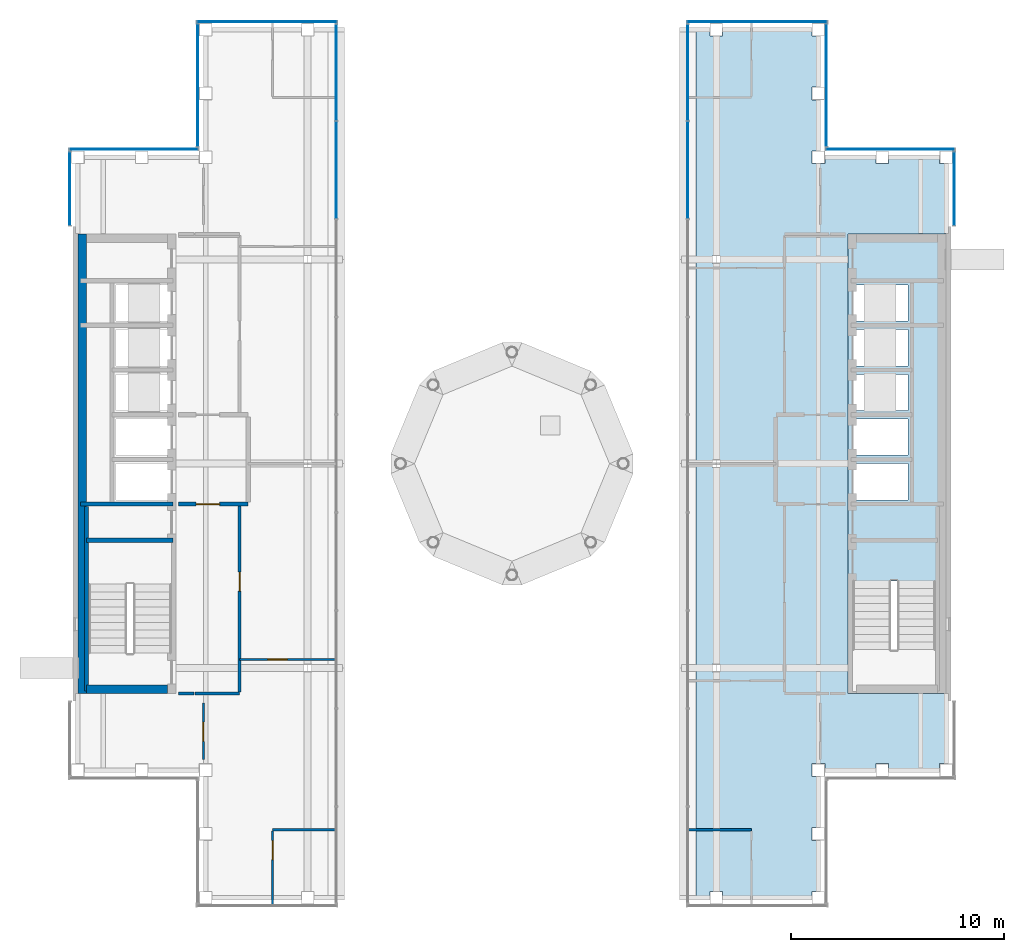
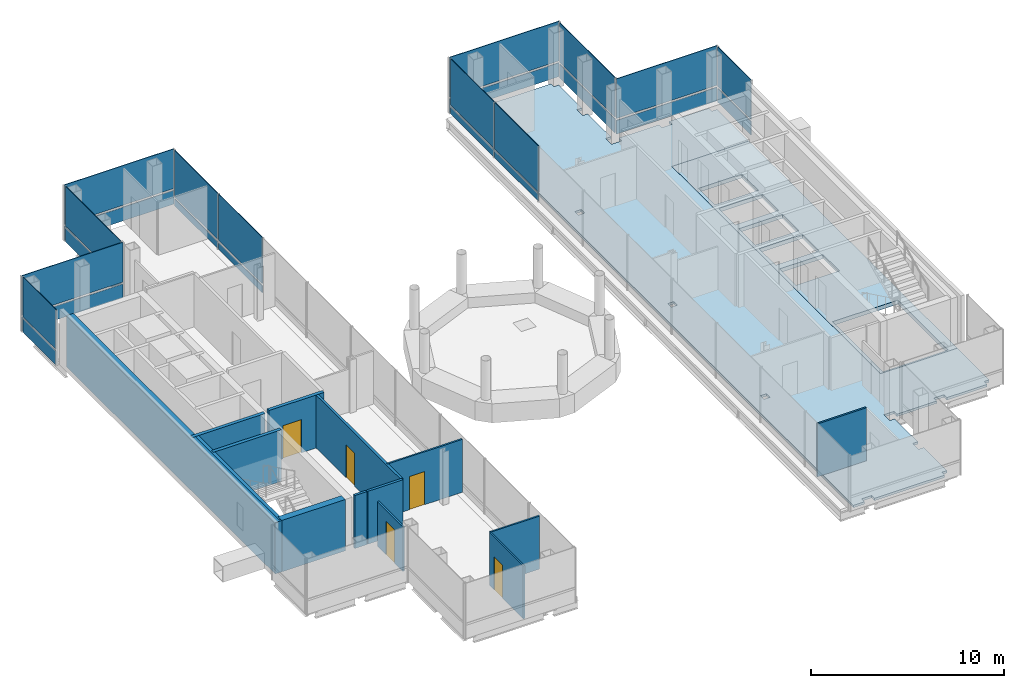
# One storey, part 11 of 16: 24 plates, 14 walls, 5 doors, 2 slabs, 5 openings, 10 elements without a shape of their own.
"""IFC4 building model written with IfcOpenShell, lengths in metres."""

from ifc_helpers import new_model, si_unit, direction, frame, frame_2d, origin, origin_2d, place, context, subcontext, project, spatial, polyline, rectangle, outline, extrude, material, layer, layer_set, type_object, element, fill, aggregate, save


model = new_model("IFC4")

# Units and contexts
model_context = context("Model", 3, precision=1e-05, world=origin(), true_north=direction((0.0, 1.0)))
body_context = subcontext(model_context, "Body", "Model", "MODEL_VIEW")
ifc_project = project(units=[si_unit("LENGTHUNIT", "METRE"), si_unit("AREAUNIT", "SQUARE_METRE"), si_unit("VOLUMEUNIT", "CUBIC_METRE"), si_unit("PLANEANGLEUNIT", "RADIAN"), si_unit("MASSUNIT", "GRAM", prefix="KILO")], contexts=[model_context])

# Site, building, storey
site_placement = place(None, origin())
site = spatial("IfcSite", under=ifc_project, at=site_placement, CompositionType="ELEMENT")
building_placement = place(site_placement, origin())
building = spatial("IfcBuilding", under=site, at=building_placement, Name="Cobrizo Arcos Hotel Tower", CompositionType="ELEMENT")
storey_placement = place(building_placement, frame((0.0, 0.0, 272.5)))
storey = spatial("IfcBuildingStorey", under=building, at=storey_placement, Name="L72", CompositionType="ELEMENT", Elevation=272.5)

# Curtain wall, plate
ifc_material_1 = material(Name="Aluminium 6063-T6 anodised bronze", Category="aluminium")
curtain_wall_type_1 = type_object("IfcCurtainWallType", Name="CW-A guest facade", PredefinedType="NOTDEFINED", material=ifc_material_1)
curtain_wall_1_placement = place(storey_placement, origin())
curtain_wall_1 = element("IfcCurtainWall", 1, at=curtain_wall_1_placement, inside=storey, type_object=curtain_wall_type_1, Name="CW-A L72 N face", PredefinedType="NOTDEFINED")
ifc_material_2 = material(Name="Glass clear laminated low-e", Category="glass")
ifc_layer_1 = layer(ifc_material_2, 0.0400390625)
ifc_layer_set_1 = layer_set([ifc_layer_1], Name="CW-A glass panel")
plate_type_1 = type_object("IfcPlateType", Name="CW-A glass panel", PredefinedType="CURTAIN_PANEL", material=ifc_layer_set_1)
plate_1_placement = place(storey_placement, frame((11.517578125, 20.77490234375, 0.990234375), z_axis=(0.0, 0.0, 1.0), x_axis=(-1.0, 0.0, 0.0)))
plate_1 = element("IfcPlate", 2, at=plate_1_placement, type_object=plate_type_1, Name="CW-A glass panel 2256", PredefinedType="CURTAIN_PANEL", context=body_context, shape_type="SweptSolid", body=[
    extrude(rectangle(XDim=6.544921875, YDim=0.0400390625, at=origin_2d()), origin(), (0.0, 0.0, 1.0), 2.510009765625),
])

curtain_wall_2_placement = place(storey_placement, origin())
curtain_wall_2 = element("IfcCurtainWall", 3, at=curtain_wall_2_placement, inside=storey, type_object=curtain_wall_type_1, Name="CW-A L72 E face", PredefinedType="NOTDEFINED")
plate_2_placement = place(storey_placement, frame((20.77490234375, 12.925048828125, 0.990234375), z_axis=(0.0, 0.0, 1.0), x_axis=(0.0, 1.0, 0.0)))
plate_2 = element("IfcPlate", 4, at=plate_2_placement, type_object=plate_type_1, Name="CW-A glass panel 2270", PredefinedType="CURTAIN_PANEL", context=body_context, shape_type="SweptSolid", body=[
    extrude(rectangle(XDim=3.429931640625, YDim=0.0400390625, at=origin_2d()), origin(), (0.0, 0.0, 1.0), 2.510009765625),
])

curtain_wall_3_placement = place(storey_placement, origin())
curtain_wall_3 = element("IfcCurtainWall", 5, at=curtain_wall_3_placement, inside=storey, type_object=curtain_wall_type_1, Name="CW-A L72 N face", PredefinedType="NOTDEFINED")
plate_3_placement = place(storey_placement, frame((17.77490234375, 14.77490234375, 0.990234375), z_axis=(0.0, 0.0, 1.0), x_axis=(-1.0, 0.0, 0.0)))
plate_3 = element("IfcPlate", 6, at=plate_3_placement, type_object=plate_type_1, Name="CW-A glass panel 2271", PredefinedType="CURTAIN_PANEL", context=body_context, shape_type="SweptSolid", body=[
    extrude(rectangle(XDim=6.030029296875, YDim=0.0400390625, at=origin_2d()), origin(), (0.0, 0.0, 1.0), 2.510009765625),
])

curtain_wall_4_placement = place(storey_placement, origin())
curtain_wall_4 = element("IfcCurtainWall", 7, at=curtain_wall_4_placement, inside=storey, type_object=curtain_wall_type_1, Name="CW-A L72 E face", PredefinedType="NOTDEFINED")
plate_4_placement = place(storey_placement, frame((14.77490234375, 17.77490234375, 0.990234375), z_axis=(0.0, 0.0, 1.0), x_axis=(0.0, 1.0, 0.0)))
plate_4 = element("IfcPlate", 8, at=plate_4_placement, type_object=plate_type_1, Name="CW-A glass panel 2272", PredefinedType="CURTAIN_PANEL", context=body_context, shape_type="SweptSolid", body=[
    extrude(rectangle(XDim=5.72998046875, YDim=0.0400390625, at=origin_2d()), origin(), (0.0, 0.0, 1.0), 2.510009765625),
])

curtain_wall_5_placement = place(storey_placement, origin())
curtain_wall_5 = element("IfcCurtainWall", 9, at=curtain_wall_5_placement, inside=storey, type_object=curtain_wall_type_1, Name="CW-A L72 N face", PredefinedType="NOTDEFINED")
plate_5_placement = place(storey_placement, frame((-11.517578125, 20.77490234375, 0.990234375), z_axis=(0.0, 0.0, 1.0), x_axis=(-1.0, 0.0, 0.0)))
plate_5 = element("IfcPlate", 10, at=plate_5_placement, type_object=plate_type_1, Name="CW-A glass panel 2283", PredefinedType="CURTAIN_PANEL", context=body_context, shape_type="SweptSolid", body=[
    extrude(rectangle(XDim=6.544921875, YDim=0.0400390625, at=origin_2d()), origin(), (0.0, 0.0, 1.0), 2.510009765625),
])

curtain_wall_6_placement = place(storey_placement, origin())
curtain_wall_6 = element("IfcCurtainWall", 11, at=curtain_wall_6_placement, inside=storey, type_object=curtain_wall_type_1, Name="CW-A L72 W face", PredefinedType="NOTDEFINED")
plate_6_placement = place(storey_placement, frame((-14.77490234375, 17.77490234375, 0.990234375), z_axis=(0.0, 0.0, 1.0), x_axis=(0.0, -1.0, 0.0)))
plate_6 = element("IfcPlate", 12, at=plate_6_placement, type_object=plate_type_1, Name="CW-A glass panel 2284", PredefinedType="CURTAIN_PANEL", context=body_context, shape_type="SweptSolid", body=[
    extrude(rectangle(XDim=5.72998046875, YDim=0.0400390625, at=origin_2d()), origin(), (0.0, 0.0, 1.0), 2.510009765625),
])

curtain_wall_7_placement = place(storey_placement, origin())
curtain_wall_7 = element("IfcCurtainWall", 13, at=curtain_wall_7_placement, inside=storey, type_object=curtain_wall_type_1, Name="CW-A L72 N face", PredefinedType="NOTDEFINED")
plate_7_placement = place(storey_placement, frame((-17.77490234375, 14.77490234375, 0.990234375), z_axis=(0.0, 0.0, 1.0), x_axis=(-1.0, 0.0, 0.0)))
plate_7 = element("IfcPlate", 14, at=plate_7_placement, type_object=plate_type_1, Name="CW-A glass panel 2285", PredefinedType="CURTAIN_PANEL", context=body_context, shape_type="SweptSolid", body=[
    extrude(rectangle(XDim=6.030029296875, YDim=0.0400390625, at=origin_2d()), origin(), (0.0, 0.0, 1.0), 2.510009765625),
])

curtain_wall_8_placement = place(storey_placement, origin())
curtain_wall_8 = element("IfcCurtainWall", 15, at=curtain_wall_8_placement, inside=storey, type_object=curtain_wall_type_1, Name="CW-A L72 W face", PredefinedType="NOTDEFINED")
plate_8_placement = place(storey_placement, frame((-20.77490234375, 12.925048828125, 0.990234375), z_axis=(0.0, 0.0, 1.0), x_axis=(0.0, -1.0, 0.0)))
plate_8 = element("IfcPlate", 16, at=plate_8_placement, type_object=plate_type_1, Name="CW-A glass panel 2286", PredefinedType="CURTAIN_PANEL", context=body_context, shape_type="SweptSolid", body=[
    extrude(rectangle(XDim=3.429931640625, YDim=0.0400390625, at=origin_2d()), origin(), (0.0, 0.0, 1.0), 2.510009765625),
])

# Plate
ifc_material_3 = material(Name="Aluminium composite panel pale metal", Category="aluminium")
ifc_layer_2 = layer(ifc_material_3, 0.0400390625)
ifc_layer_set_2 = layer_set([ifc_layer_2], Name="CW-A spandrel panel")
plate_type_2 = type_object("IfcPlateType", Name="CW-A spandrel panel", PredefinedType="CURTAIN_PANEL", material=ifc_layer_set_2)
plate_9_placement = place(storey_placement, frame((11.517578125, 20.77490234375, 0.0), z_axis=(0.0, 0.0, 1.0), x_axis=(-1.0, 0.0, 0.0)))
plate_9 = element("IfcPlate", 17, at=plate_9_placement, type_object=plate_type_2, Name="CW-A spandrel panel 2256", PredefinedType="CURTAIN_PANEL", context=body_context, shape_type="SweptSolid", body=[
    extrude(rectangle(XDim=6.544921875, YDim=0.0400390625, at=origin_2d()), origin(), (0.0, 0.0, 1.0), 0.8701171875),
])

aggregate(curtain_wall_1, [plate_9, plate_1])

plate_10_placement = place(storey_placement, frame((20.77490234375, 12.925048828125, 0.0), z_axis=(0.0, 0.0, 1.0), x_axis=(0.0, 1.0, 0.0)))
plate_10 = element("IfcPlate", 18, at=plate_10_placement, type_object=plate_type_2, Name="CW-A spandrel panel 2270", PredefinedType="CURTAIN_PANEL", context=body_context, shape_type="SweptSolid", body=[
    extrude(rectangle(XDim=3.429931640625, YDim=0.0400390625, at=origin_2d()), origin(), (0.0, 0.0, 1.0), 0.8701171875),
])

aggregate(curtain_wall_2, [plate_10, plate_2])

plate_11_placement = place(storey_placement, frame((17.77490234375, 14.77490234375, 0.0), z_axis=(0.0, 0.0, 1.0), x_axis=(-1.0, 0.0, 0.0)))
plate_11 = element("IfcPlate", 19, at=plate_11_placement, type_object=plate_type_2, Name="CW-A spandrel panel 2271", PredefinedType="CURTAIN_PANEL", context=body_context, shape_type="SweptSolid", body=[
    extrude(rectangle(XDim=6.030029296875, YDim=0.0400390625, at=origin_2d()), origin(), (0.0, 0.0, 1.0), 0.8701171875),
])

aggregate(curtain_wall_3, [plate_11, plate_3])

plate_12_placement = place(storey_placement, frame((14.77490234375, 17.77490234375, 0.0), z_axis=(0.0, 0.0, 1.0), x_axis=(0.0, 1.0, 0.0)))
plate_12 = element("IfcPlate", 20, at=plate_12_placement, type_object=plate_type_2, Name="CW-A spandrel panel 2272", PredefinedType="CURTAIN_PANEL", context=body_context, shape_type="SweptSolid", body=[
    extrude(rectangle(XDim=5.72998046875, YDim=0.0400390625, at=origin_2d()), origin(), (0.0, 0.0, 1.0), 0.8701171875),
])

aggregate(curtain_wall_4, [plate_12, plate_4])

plate_13_placement = place(storey_placement, frame((-11.517578125, 20.77490234375, 0.0), z_axis=(0.0, 0.0, 1.0), x_axis=(-1.0, 0.0, 0.0)))
plate_13 = element("IfcPlate", 21, at=plate_13_placement, type_object=plate_type_2, Name="CW-A spandrel panel 2283", PredefinedType="CURTAIN_PANEL", context=body_context, shape_type="SweptSolid", body=[
    extrude(rectangle(XDim=6.544921875, YDim=0.0400390625, at=origin_2d()), origin(), (0.0, 0.0, 1.0), 0.8701171875),
])

aggregate(curtain_wall_5, [plate_13, plate_5])

plate_14_placement = place(storey_placement, frame((-14.77490234375, 17.77490234375, 0.0), z_axis=(0.0, 0.0, 1.0), x_axis=(0.0, -1.0, 0.0)))
plate_14 = element("IfcPlate", 22, at=plate_14_placement, type_object=plate_type_2, Name="CW-A spandrel panel 2284", PredefinedType="CURTAIN_PANEL", context=body_context, shape_type="SweptSolid", body=[
    extrude(rectangle(XDim=5.72998046875, YDim=0.0400390625, at=origin_2d()), origin(), (0.0, 0.0, 1.0), 0.8701171875),
])

aggregate(curtain_wall_6, [plate_14, plate_6])

plate_15_placement = place(storey_placement, frame((-17.77490234375, 14.77490234375, 0.0), z_axis=(0.0, 0.0, 1.0), x_axis=(-1.0, 0.0, 0.0)))
plate_15 = element("IfcPlate", 23, at=plate_15_placement, type_object=plate_type_2, Name="CW-A spandrel panel 2285", PredefinedType="CURTAIN_PANEL", context=body_context, shape_type="SweptSolid", body=[
    extrude(rectangle(XDim=6.030029296875, YDim=0.0400390625, at=origin_2d()), origin(), (0.0, 0.0, 1.0), 0.8701171875),
])

aggregate(curtain_wall_7, [plate_15, plate_7])

plate_16_placement = place(storey_placement, frame((-20.77490234375, 12.925048828125, 0.0), z_axis=(0.0, 0.0, 1.0), x_axis=(0.0, -1.0, 0.0)))
plate_16 = element("IfcPlate", 24, at=plate_16_placement, type_object=plate_type_2, Name="CW-A spandrel panel 2286", PredefinedType="CURTAIN_PANEL", context=body_context, shape_type="SweptSolid", body=[
    extrude(rectangle(XDim=3.429931640625, YDim=0.0400390625, at=origin_2d()), origin(), (0.0, 0.0, 1.0), 0.8701171875),
])

aggregate(curtain_wall_8, [plate_16, plate_8])

# Curtain wall, plates
curtain_wall_type_2 = type_object("IfcCurtainWallType", Name="CW-C arch infill and crown glazing", PredefinedType="NOTDEFINED", material=ifc_material_1)
curtain_wall_9_placement = place(storey_placement, origin())
curtain_wall_9 = element("IfcCurtainWall", 25, at=curtain_wall_9_placement, inside=storey, type_object=curtain_wall_type_2, Name="CW-C L72 W face", PredefinedType="NOTDEFINED")
ifc_layer_3 = layer(ifc_material_2, 0.0400390625)
ifc_layer_set_3 = layer_set([ifc_layer_3], Name="CW-C glass panel")
plate_type_3 = type_object("IfcPlateType", Name="CW-C glass panel", PredefinedType="CURTAIN_PANEL", material=ifc_layer_set_3)
plate_17_placement = place(storey_placement, frame((8.260009765625, 18.382568359375, 0.0), z_axis=(0.0, 0.0, 1.0), x_axis=(0.0, -1.0, 0.0)))
plate_17 = element("IfcPlate", 26, at=plate_17_placement, type_object=plate_type_3, Name="CW-C glass panel 2257", PredefinedType="CURTAIN_PANEL", context=body_context, shape_type="SweptSolid", body=[
    extrude(rectangle(XDim=4.4951171875, YDim=0.0400390625, at=origin_2d()), origin(), (0.0, 0.0, 1.0), 0.429931640625),
])
plate_18_placement = place(storey_placement, frame((8.260009765625, 18.382568359375, 0.56982421875), z_axis=(0.0, 0.0, 1.0), x_axis=(0.0, -1.0, 0.0)))
plate_18 = element("IfcPlate", 27, at=plate_18_placement, type_object=plate_type_3, Name="CW-C glass panel 2257", PredefinedType="CURTAIN_PANEL", context=body_context, shape_type="SweptSolid", body=[
    extrude(rectangle(XDim=4.4951171875, YDim=0.0400390625, at=origin_2d()), origin(), (0.0, 0.0, 1.0), 2.929931640625),
])
plate_19_placement = place(storey_placement, frame((8.260009765625, 13.800048828125, 0.0), z_axis=(0.0, 0.0, 1.0), x_axis=(0.0, -1.0, 0.0)))
plate_19 = element("IfcPlate", 28, at=plate_19_placement, type_object=plate_type_3, Name="CW-C glass panel 2258", PredefinedType="CURTAIN_PANEL", context=body_context, shape_type="SweptSolid", body=[
    extrude(rectangle(XDim=4.530029296875, YDim=0.0400390625, at=origin_2d()), origin(), (0.0, 0.0, 1.0), 0.429931640625),
])
plate_20_placement = place(storey_placement, frame((8.260009765625, 13.800048828125, 0.56982421875), z_axis=(0.0, 0.0, 1.0), x_axis=(0.0, -1.0, 0.0)))
plate_20 = element("IfcPlate", 29, at=plate_20_placement, type_object=plate_type_3, Name="CW-C glass panel 2258", PredefinedType="CURTAIN_PANEL", context=body_context, shape_type="SweptSolid", body=[
    extrude(rectangle(XDim=4.530029296875, YDim=0.0400390625, at=origin_2d()), origin(), (0.0, 0.0, 1.0), 2.929931640625),
])
aggregate(curtain_wall_9, [plate_17, plate_18, plate_19, plate_20])

curtain_wall_10_placement = place(storey_placement, origin())
curtain_wall_10 = element("IfcCurtainWall", 30, at=curtain_wall_10_placement, inside=storey, type_object=curtain_wall_type_2, Name="CW-C L72 E face", PredefinedType="NOTDEFINED")
plate_21_placement = place(storey_placement, frame((-8.260009765625, 13.800048828125, 0.0), z_axis=(0.0, 0.0, 1.0), x_axis=(0.0, 1.0, 0.0)))
plate_21 = element("IfcPlate", 31, at=plate_21_placement, type_object=plate_type_3, Name="CW-C glass panel 2281", PredefinedType="CURTAIN_PANEL", context=body_context, shape_type="SweptSolid", body=[
    extrude(rectangle(XDim=4.530029296875, YDim=0.0400390625, at=origin_2d()), origin(), (0.0, 0.0, 1.0), 0.429931640625),
])
plate_22_placement = place(storey_placement, frame((-8.260009765625, 13.800048828125, 0.56982421875), z_axis=(0.0, 0.0, 1.0), x_axis=(0.0, 1.0, 0.0)))
plate_22 = element("IfcPlate", 32, at=plate_22_placement, type_object=plate_type_3, Name="CW-C glass panel 2281", PredefinedType="CURTAIN_PANEL", context=body_context, shape_type="SweptSolid", body=[
    extrude(rectangle(XDim=4.530029296875, YDim=0.0400390625, at=origin_2d()), origin(), (0.0, 0.0, 1.0), 2.929931640625),
])
plate_23_placement = place(storey_placement, frame((-8.260009765625, 18.382568359375, 0.0), z_axis=(0.0, 0.0, 1.0), x_axis=(0.0, 1.0, 0.0)))
plate_23 = element("IfcPlate", 33, at=plate_23_placement, type_object=plate_type_3, Name="CW-C glass panel 2282", PredefinedType="CURTAIN_PANEL", context=body_context, shape_type="SweptSolid", body=[
    extrude(rectangle(XDim=4.4951171875, YDim=0.0400390625, at=origin_2d()), origin(), (0.0, 0.0, 1.0), 0.429931640625),
])
plate_24_placement = place(storey_placement, frame((-8.260009765625, 18.382568359375, 0.56982421875), z_axis=(0.0, 0.0, 1.0), x_axis=(0.0, 1.0, 0.0)))
plate_24 = element("IfcPlate", 34, at=plate_24_placement, type_object=plate_type_3, Name="CW-C glass panel 2282", PredefinedType="CURTAIN_PANEL", context=body_context, shape_type="SweptSolid", body=[
    extrude(rectangle(XDim=4.4951171875, YDim=0.0400390625, at=origin_2d()), origin(), (0.0, 0.0, 1.0), 2.929931640625),
])
aggregate(curtain_wall_10, [plate_21, plate_22, plate_23, plate_24])

# Slabs
ifc_material_4 = material(Name="Concrete f'c 35 MPa", Category="concrete")
ifc_layer_4 = layer(ifc_material_4, 0.14990234375)
ifc_layer_set_4 = layer_set([ifc_layer_4], Name="Composite floor slab 150 f'c 35")
slab_type_1 = type_object("IfcSlabType", Name="Composite floor slab 150 f'c 35", PredefinedType="FLOOR", material=ifc_layer_set_4)
slab_1_placement = place(storey_placement, frame((0.0, 0.0, -0.14990234375)))
element("IfcSlab", 35, at=slab_1_placement, inside=storey, type_object=slab_type_1, Name="Floor slab S5, L72, no. 02", PredefinedType="FLOOR", context=body_context, shape_type="SweptSolid", body=[
    extrude(outline(polyline([(14.39990234375, 17.699951171875), (14.10009765625, 17.699951171875), (14.10009765625, 17.10009765625), (14.39990234375, 17.10009765625), (14.39990234375, 14.699951171875), (14.10009765625, 14.699951171875), (14.10009765625, 14.10009765625), (14.699951171875, 14.10009765625), (14.699951171875, 14.39990234375), (17.10009765625, 14.39990234375), (17.10009765625, 14.10009765625), (17.699951171875, 14.10009765625), (17.699951171875, 14.39990234375), (20.10009765625, 14.39990234375), (20.10009765625, 14.10009765625), (20.39990234375, 14.10009765625), (20.39990234375, 10.800048828125), (15.800048828125, 10.800048828125), (15.800048828125, -10.800048828125), (20.39990234375, -10.800048828125), (20.39990234375, -14.10009765625), (20.10009765625, -14.10009765625), (20.10009765625, -14.39990234375), (17.699951171875, -14.39990234375), (17.699951171875, -14.10009765625), (17.10009765625, -14.10009765625), (17.10009765625, -14.39990234375), (14.699951171875, -14.39990234375), (14.699951171875, -14.10009765625), (14.10009765625, -14.10009765625), (14.10009765625, -14.699951171875), (14.39990234375, -14.699951171875), (14.39990234375, -17.10009765625), (14.10009765625, -17.10009765625), (14.10009765625, -17.699951171875), (14.39990234375, -17.699951171875), (14.39990234375, -20.10009765625), (14.10009765625, -20.10009765625), (14.10009765625, -20.39990234375), (9.89990234375, -20.39990234375), (9.89990234375, -20.10009765625), (9.300048828125, -20.10009765625), (9.300048828125, -20.39990234375), (8.635009765625, -20.39990234375), (8.635009765625, 20.39990234375), (9.300048828125, 20.39990234375), (9.300048828125, 20.10009765625), (9.89990234375, 20.10009765625), (9.89990234375, 20.39990234375), (14.10009765625, 20.39990234375), (14.10009765625, 20.10009765625), (14.39990234375, 20.10009765625), (14.39990234375, 17.699951171875)]), holes=[polyline([(9.7841796875, -9.7841796875), (9.7841796875, -9.415771484375), (9.415771484375, -9.415771484375), (9.415771484375, -9.7841796875), (9.7841796875, -9.7841796875)]), polyline([(9.7841796875, -0.18408203125), (9.7841796875, 0.18408203125), (9.415771484375, 0.18408203125), (9.415771484375, -0.18408203125), (9.7841796875, -0.18408203125)]), polyline([(9.7841796875, 9.415771484375), (9.7841796875, 9.7841796875), (9.415771484375, 9.7841796875), (9.415771484375, 9.415771484375), (9.7841796875, 9.415771484375)])]), origin(), (0.0, 0.0, 1.0), 0.14990234375),
])
ifc_material_5 = material(Name="Concrete f'c 40 MPa", Category="concrete")
ifc_layer_5 = layer(ifc_material_5, 0.25)
ifc_layer_set_5 = layer_set([ifc_layer_5], Name="RC core floor slab 250 f'c 40")
slab_type_2 = type_object("IfcSlabType", Name="RC core floor slab 250 f'c 40", PredefinedType="FLOOR", material=ifc_layer_set_5)
slab_2_placement = place(storey_placement, frame((0.0, 0.0, -0.25)))
element("IfcSlab", 36, at=slab_2_placement, inside=storey, type_object=slab_type_2, Name="Core floor slab CS7, east core, L72", PredefinedType="FLOOR", context=body_context, shape_type="SweptSolid", body=[
    extrude(outline(polyline([(15.800048828125, 10.800048828125), (20.39990234375, 10.800048828125), (20.39990234375, -10.800048828125), (15.800048828125, -10.800048828125), (15.800048828125, 10.800048828125)]), holes=[polyline([(19.89794921875, -10.697998046875), (19.89794921875, -5.501953125), (16.001953125, -5.501953125), (16.001953125, -10.697998046875), (19.89794921875, -10.697998046875)]), polyline([(16.0, 0.0), (16.0, -1.699951171875), (18.60009765625, -1.699951171875), (18.60009765625, 0.0), (16.0, 0.0)]), polyline([(16.0, 2.10009765625), (16.0, 0.39990234375), (18.60009765625, 0.39990234375), (18.60009765625, 2.10009765625), (16.0, 2.10009765625)]), polyline([(16.0, 4.199951171875), (16.0, 2.5), (18.60009765625, 2.5), (18.60009765625, 4.199951171875), (16.0, 4.199951171875)]), polyline([(18.60009765625, 6.300048828125), (16.0, 6.300048828125), (16.0, 4.60009765625), (18.60009765625, 4.60009765625), (18.60009765625, 6.300048828125)]), polyline([(18.60009765625, 8.39990234375), (16.0, 8.39990234375), (16.0, 6.699951171875), (18.60009765625, 6.699951171875), (18.60009765625, 8.39990234375)])]), origin(), (0.0, 0.0, 1.0), 0.25),
])

# Walls
ifc_material_6 = material(Name="Gypsum board partition")
ifc_layer_6 = layer(ifc_material_6, 0.14990234375)
ifc_layer_set_6 = layer_set([ifc_layer_6], Name="Corridor wall EI 60 150")
wall_type_1 = type_object("IfcWallType", Name="Corridor wall EI 60 150", PredefinedType="PARTITIONING", material=ifc_layer_set_6)
wall_1_placement = place(storey_placement, frame((-15.679931640625, -10.800048828125, 0.0), z_axis=(0.0, 0.0, 1.0), x_axis=(1.0, 0.0, 0.0)))
element("IfcWall", 37, at=wall_1_placement, inside=storey, type_object=wall_type_1, Name="Partition 003", PredefinedType="PARTITIONING", context=body_context, shape_type="SweptSolid", body=[
    extrude(rectangle(XDim=0.72998046875, YDim=0.14990234375, at=frame_2d((0.364990234375, 0.0))), origin(), (0.0, 0.0, 1.0), 3.35009765625),
])
wall_2_placement = place(storey_placement, frame((-14.89990234375, -10.800048828125, 0.0), z_axis=(0.0, 0.0, 1.0), x_axis=(1.0, 0.0, 0.0)))
element("IfcWall", 38, at=wall_2_placement, inside=storey, type_object=wall_type_1, Name="Partition 004", PredefinedType="PARTITIONING", context=body_context, shape_type="SweptSolid", body=[
    extrude(rectangle(XDim=2.099853515625, YDim=0.14990234375, at=frame_2d((1.0498046875, 0.0))), origin(), (0.0, 0.0, 1.0), 3.35009765625),
])

# Wall, opening, door
wall_3_placement = place(storey_placement, frame((-12.800048828125, -10.72509765625, 0.0), z_axis=(0.0, 0.0, 1.0), x_axis=(0.0, 1.0, 0.0)))
wall_3 = element("IfcWall", 39, at=wall_3_placement, inside=storey, type_object=wall_type_1, Name="Partition 046", PredefinedType="PARTITIONING", context=body_context, shape_type="SweptSolid", body=[
    extrude(rectangle(XDim=8.72509765625, YDim=0.14990234375, at=frame_2d((4.362548828125, 0.0))), origin(), (0.0, 0.0, 1.0), 3.35009765625),
])
opening_1_placement = place(wall_3_placement, frame((4.735107421875, 0.0, 0.0)))
opening_1 = element("IfcOpeningElement", 40, at=opening_1_placement, cuts=wall_3, Name="Opening RD-12", PredefinedType="OPENING", context=body_context, shape_type="SweptSolid", body=[
    extrude(rectangle(XDim=0.89990234375, YDim=2.10009765625, at=frame_2d((0.449951171875, 1.050048828125))), frame((0.0, 0.0869140625, 0.0), z_axis=(0.0, -1.0, 0.0), x_axis=(1.0, 0.0, 0.0)), (0.0, 0.0, 1.0), 0.173828125),
])
ifc_material_7 = material(Name="Timber door leaf", Category="wood")
door_type_1 = type_object("IfcDoorType", Name="Room door FD30 900x2100", OperationType="SINGLE_SWING_LEFT", PredefinedType="DOOR", material=ifc_material_7)
door_1_placement = place(opening_1_placement, origin())
door_1 = element("IfcDoor", 41, at=door_1_placement, inside=storey, type_object=door_type_1, Name="Door RD-12", OperationType="SINGLE_SWING_LEFT", OverallHeight=2.10009765625, OverallWidth=0.89990234375, PredefinedType="DOOR", context=body_context, shape_type="SweptSolid", body=[
    extrude(rectangle(XDim=0.89990234375, YDim=2.10009765625, at=frame_2d((0.449951171875, 1.050048828125))), frame((0.0, 0.02490234375, 0.0), z_axis=(0.0, -1.0, 0.0), x_axis=(1.0, 0.0, 0.0)), (0.0, 0.0, 1.0), 0.050048828125),
])
fill(opening_1, door_1)

# Walls
ifc_layer_7 = layer(ifc_material_6, 0.10009765625)
ifc_layer_set_7 = layer_set([ifc_layer_7], Name="Partition EI 30 100")
wall_type_2 = type_object("IfcWallType", Name="Partition EI 30 100", PredefinedType="PARTITIONING", material=ifc_layer_set_7)
for number, where, z_axis, x_axis, name in (
    (42, (-11.25, -17.199951171875, 0.0), (0.0, 0.0, 1.0), (1.0, 0.0, 0.0), "Partition 001"),
    (43, (8.304931640625, -17.199951171875, 0.0), (0.0, 0.0, 1.0), (1.0, 0.0, 0.0), "Partition 002"),
):
    element("IfcWall", number, at=place(storey_placement, frame(where, z_axis=z_axis, x_axis=x_axis)), inside=storey, type_object=wall_type_2, Name=name, PredefinedType="PARTITIONING", context=body_context, shape_type="SweptSolid", body=[
        extrude(rectangle(XDim=2.945068359375, YDim=0.10009765625, at=frame_2d((1.47265625, 0.0))), origin(), (0.0, 0.0, 1.0), 3.35009765625),
    ])

# Wall, opening, door
wall_4_placement = place(storey_placement, frame((-12.800048828125, -9.199951171875, 0.0), z_axis=(0.0, 0.0, 1.0), x_axis=(1.0, 0.0, 0.0)))
wall_4 = element("IfcWall", 44, at=wall_4_placement, inside=storey, type_object=wall_type_2, Name="Partition 008", PredefinedType="PARTITIONING", context=body_context, shape_type="SweptSolid", body=[
    extrude(rectangle(XDim=4.4951171875, YDim=0.10009765625, at=frame_2d((2.24755859375, 0.0))), origin(), (0.0, 0.0, 1.0), 3.35009765625),
])
opening_2_placement = place(wall_4_placement, frame((1.3330078125, 0.0, 0.0)))
opening_2 = element("IfcOpeningElement", 45, at=opening_2_placement, cuts=wall_4, Name="Opening RD-13", PredefinedType="OPENING", context=body_context, shape_type="SweptSolid", body=[
    extrude(rectangle(XDim=0.89990234375, YDim=2.10009765625, at=frame_2d((0.449951171875, 1.050048828125))), frame((0.0, 0.06201171875, 0.0), z_axis=(0.0, -1.0, 0.0), x_axis=(1.0, 0.0, 0.0)), (0.0, 0.0, 1.0), 0.1240234375),
])
door_2_placement = place(opening_2_placement, origin())
door_2 = element("IfcDoor", 46, at=door_2_placement, inside=storey, type_object=door_type_1, Name="Door RD-13", OperationType="SINGLE_SWING_RIGHT", OverallHeight=2.10009765625, OverallWidth=0.89990234375, PredefinedType="DOOR", context=body_context, shape_type="SweptSolid", body=[
    extrude(rectangle(XDim=0.89990234375, YDim=2.10009765625, at=frame_2d((0.449951171875, 1.050048828125))), frame((0.0, 0.02490234375, 0.0), z_axis=(0.0, -1.0, 0.0), x_axis=(1.0, 0.0, 0.0)), (0.0, 0.0, 1.0), 0.050048828125),
])
fill(opening_2, door_2)

wall_5_placement = place(storey_placement, frame((-14.5, -13.89990234375, 0.0), z_axis=(0.0, 0.0, 1.0), x_axis=(0.0, 1.0, 0.0)))
wall_5 = element("IfcWall", 47, at=wall_5_placement, inside=storey, type_object=wall_type_2, Name="Partition 044", PredefinedType="PARTITIONING", context=body_context, shape_type="SweptSolid", body=[
    extrude(rectangle(XDim=2.64990234375, YDim=0.10009765625, at=frame_2d((1.324951171875, 0.0))), origin(), (0.0, 0.0, 1.0), 2.81689453125),
])
opening_3_placement = place(wall_5_placement, frame((0.85009765625, 0.0, 0.0)))
opening_3 = element("IfcOpeningElement", 48, at=opening_3_placement, cuts=wall_5, Name="Opening RD-14", PredefinedType="OPENING", context=body_context, shape_type="SweptSolid", body=[
    extrude(rectangle(XDim=0.89990234375, YDim=2.10009765625, at=frame_2d((0.449951171875, 1.050048828125))), frame((0.0, 0.06201171875, 0.0), z_axis=(0.0, -1.0, 0.0), x_axis=(1.0, 0.0, 0.0)), (0.0, 0.0, 1.0), 0.1240234375),
])
door_3_placement = place(opening_3_placement, origin())
door_3 = element("IfcDoor", 49, at=door_3_placement, inside=storey, type_object=door_type_1, Name="Door RD-14", OperationType="SINGLE_SWING_RIGHT", OverallHeight=2.10009765625, OverallWidth=0.89990234375, PredefinedType="DOOR", context=body_context, shape_type="SweptSolid", body=[
    extrude(rectangle(XDim=0.89990234375, YDim=2.10009765625, at=frame_2d((0.449951171875, 1.050048828125))), frame((0.0, 0.02490234375, 0.0), z_axis=(0.0, -1.0, 0.0), x_axis=(1.0, 0.0, 0.0)), (0.0, 0.0, 1.0), 0.050048828125),
])
fill(opening_3, door_3)

wall_6_placement = place(storey_placement, frame((-11.25, -20.72998046875, 0.0), z_axis=(0.0, 0.0, 1.0), x_axis=(0.0, 1.0, 0.0)))
wall_6 = element("IfcWall", 50, at=wall_6_placement, inside=storey, type_object=wall_type_2, Name="Partition 049", PredefinedType="PARTITIONING", context=body_context, shape_type="SweptSolid", body=[
    extrude(rectangle(XDim=3.47998046875, YDim=0.10009765625, at=frame_2d((1.739990234375, 0.0))), origin(), (0.0, 0.0, 1.0), 3.35009765625),
])
opening_4_placement = place(wall_6_placement, frame((2.1201171875, 0.0, 0.0)))
opening_4 = element("IfcOpeningElement", 51, at=opening_4_placement, cuts=wall_6, Name="Opening ED-04", PredefinedType="OPENING", context=body_context, shape_type="SweptSolid", body=[
    extrude(rectangle(XDim=0.89990234375, YDim=2.10009765625, at=frame_2d((0.449951171875, 1.050048828125))), frame((0.0, 0.06201171875, 0.0), z_axis=(0.0, -1.0, 0.0), x_axis=(1.0, 0.0, 0.0)), (0.0, 0.0, 1.0), 0.1240234375),
])
door_type_2 = type_object("IfcDoorType", Name="En-suite door 900x2100", OperationType="SINGLE_SWING_LEFT", PredefinedType="DOOR", material=ifc_material_7)
door_4_placement = place(opening_4_placement, origin())
door_4 = element("IfcDoor", 52, at=door_4_placement, inside=storey, type_object=door_type_2, Name="Door ED-04", OperationType="SINGLE_SWING_RIGHT", OverallHeight=2.10009765625, OverallWidth=0.89990234375, PredefinedType="DOOR", context=body_context, shape_type="SweptSolid", body=[
    extrude(rectangle(XDim=0.89990234375, YDim=2.10009765625, at=frame_2d((0.449951171875, 1.050048828125))), frame((0.0, 0.02490234375, 0.0), z_axis=(0.0, -1.0, 0.0), x_axis=(1.0, 0.0, 0.0)), (0.0, 0.0, 1.0), 0.050048828125),
])
fill(opening_4, door_4)

# Walls
ifc_layer_8 = layer(ifc_material_5, 0.39990234375)
ifc_layer_set_8 = layer_set([ifc_layer_8], Name="RC core wall 400 f'c 40")
wall_type_3 = type_object("IfcWallType", Name="RC core wall 400 f'c 40", PredefinedType="SHEAR", material=ifc_layer_set_8)
wall_7_placement = place(storey_placement, frame((-20.199951171875, -10.800048828125, 0.0), z_axis=(0.0, 0.0, 1.0), x_axis=(0.0, 1.0, 0.0)))
element("IfcWall", 53, at=wall_7_placement, inside=storey, type_object=wall_type_3, Name="Core wall CW4, west core, outer face, L72", PredefinedType="SHEAR", context=body_context, shape_type="SweptSolid", body=[
    extrude(rectangle(XDim=21.60009765625, YDim=0.39990234375, at=frame_2d((10.800048828125, 0.0))), origin(), (0.0, 0.0, 1.0), 3.25),
])
wall_8_placement = place(storey_placement, frame((-20.0, -10.60009765625, 0.0), z_axis=(0.0, 0.0, 1.0), x_axis=(1.0, 0.0, 0.0)))
element("IfcWall", 54, at=wall_8_placement, inside=storey, type_object=wall_type_3, Name="Core wall CW4, west core, south end, L72", PredefinedType="SHEAR", context=body_context, shape_type="SweptSolid", body=[
    extrude(rectangle(XDim=3.800048828125, YDim=0.39990234375, at=frame_2d((1.89990234375, 0.0))), origin(), (0.0, 0.0, 1.0), 3.25),
])
ifc_layer_9 = layer(ifc_material_6, 0.199951171875)
ifc_layer_set_9 = layer_set([ifc_layer_9], Name="Shaft wall EI 120 200")
wall_type_4 = type_object("IfcWallType", Name="Shaft wall EI 120 200", PredefinedType="PARTITIONING", material=ifc_layer_set_9)
wall_9_placement = place(storey_placement, frame((-20.280029296875, -1.89990234375, 0.0), z_axis=(0.0, 0.0, 1.0), x_axis=(1.0, 0.0, 0.0)))
element("IfcWall", 55, at=wall_9_placement, inside=storey, type_object=wall_type_4, Name="Partition 011", PredefinedType="PARTITIONING", context=body_context, shape_type="SweptSolid", body=[
    extrude(rectangle(XDim=4.360107421875, YDim=0.199951171875, at=frame_2d((2.18017578125, 0.0))), origin(), (0.0, 0.0, 1.0), 3.25),
])

# Wall, opening, door
wall_10_placement = place(storey_placement, frame((-15.679931640625, -1.89990234375, 0.0), z_axis=(0.0, 0.0, 1.0), x_axis=(1.0, 0.0, 0.0)))
wall_10 = element("IfcWall", 56, at=wall_10_placement, inside=storey, type_object=wall_type_4, Name="Partition 012", PredefinedType="PARTITIONING", context=body_context, shape_type="SweptSolid", body=[
    extrude(rectangle(XDim=3.280029296875, YDim=0.199951171875, at=frame_2d((1.64013671875, 0.0))), origin(), (0.0, 0.0, 1.0), 3.35009765625),
])
opening_5_placement = place(wall_10_placement, frame((0.840087890625, 0.0, 0.0)))
opening_5 = element("IfcOpeningElement", 57, at=opening_5_placement, cuts=wall_10, Name="Opening FD-03", PredefinedType="OPENING", context=body_context, shape_type="SweptSolid", body=[
    extrude(rectangle(XDim=1.10009765625, YDim=2.10009765625, at=frame_2d((0.550048828125, 1.050048828125))), frame((0.0, 0.112060546875, 0.0), z_axis=(0.0, -1.0, 0.0), x_axis=(1.0, 0.0, 0.0)), (0.0, 0.0, 1.0), 0.223876953125),
])
ifc_material_8 = material(Name="Steel door leaf", Category="steel")
door_type_3 = type_object("IfcDoorType", Name="Fire door FD60 1100x2100", OperationType="SINGLE_SWING_LEFT", PredefinedType="DOOR", material=ifc_material_8)
door_5_placement = place(opening_5_placement, origin())
door_5 = element("IfcDoor", 58, at=door_5_placement, inside=storey, type_object=door_type_3, Name="Door FD-03", OperationType="SINGLE_SWING_LEFT", OverallHeight=2.10009765625, OverallWidth=1.10009765625, PredefinedType="DOOR", context=body_context, shape_type="SweptSolid", body=[
    extrude(rectangle(XDim=1.10009765625, YDim=2.10009765625, at=frame_2d((0.550048828125, 1.050048828125))), frame((0.0, 0.02490234375, 0.0), z_axis=(0.0, -1.0, 0.0), x_axis=(1.0, 0.0, 0.0)), (0.0, 0.0, 1.0), 0.050048828125),
])
fill(opening_5, door_5)

# Walls
ifc_layer_10 = layer(ifc_material_5, 0.199951171875)
ifc_layer_set_10 = layer_set([ifc_layer_10], Name="Stair shaft wall 200")
wall_type_5 = type_object("IfcWallType", Name="Stair shaft wall 200", PredefinedType="SHEAR", material=ifc_layer_set_10)
wall_11_placement = place(storey_placement, frame((-20.0, -3.60009765625, 0.0), z_axis=(0.0, 0.0, 1.0), x_axis=(1.0, 0.0, 0.0)))
element("IfcWall", 59, at=wall_11_placement, inside=storey, type_object=wall_type_5, Name="Stair shaft wall W", PredefinedType="SHEAR", context=body_context, shape_type="SweptSolid", body=[
    extrude(rectangle(XDim=4.080078125, YDim=0.199951171875, at=frame_2d((2.0400390625, 0.0))), origin(), (0.0, 0.0, 1.0), 3.25),
])
wall_12_placement = place(storey_placement, frame((-20.0, -10.679931640625, 0.0), z_axis=(0.0, 0.0, 1.0), x_axis=(0.0, 1.0, 0.0)))
element("IfcWall", 60, at=wall_12_placement, inside=storey, type_object=wall_type_5, Name="Stair shaft wall W", PredefinedType="SHEAR", context=body_context, shape_type="SweptSolid", body=[
    extrude(rectangle(XDim=8.679931640625, YDim=0.199951171875, at=frame_2d((4.33984375, 0.0))), origin(), (0.0, 0.0, 1.0), 3.25),
])

save(model, "model.ifc")
